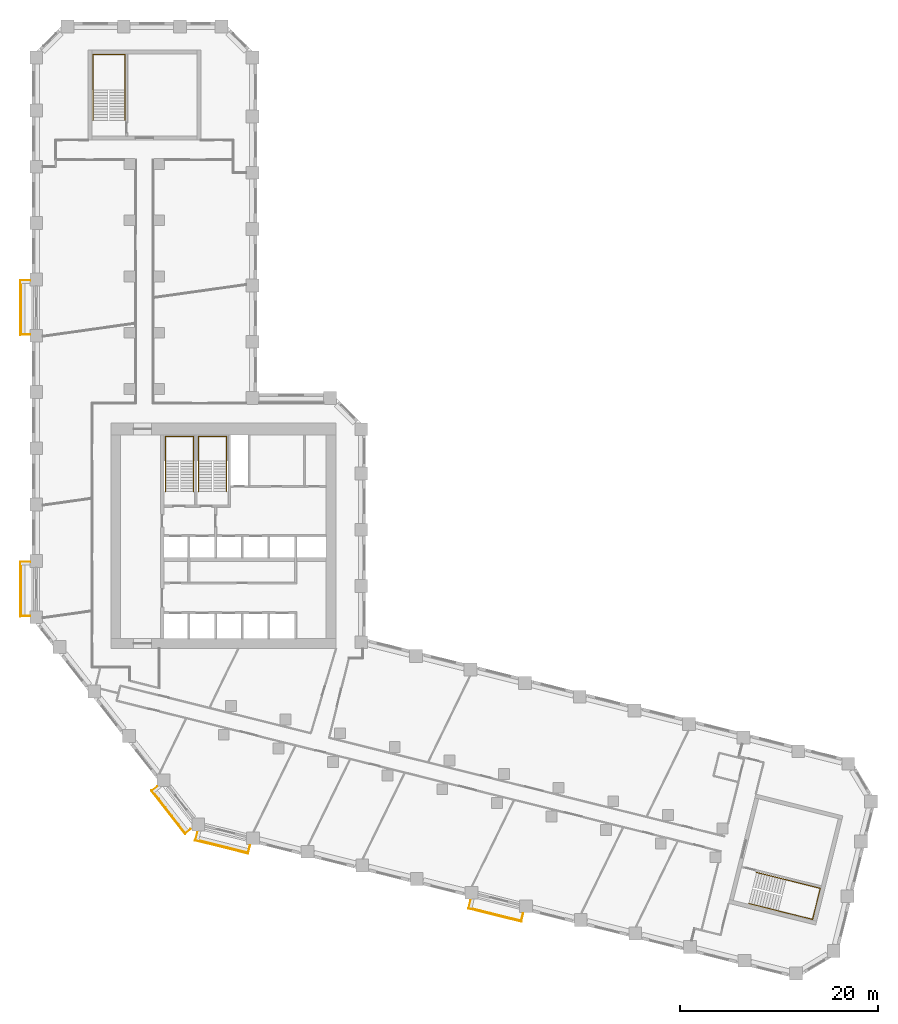
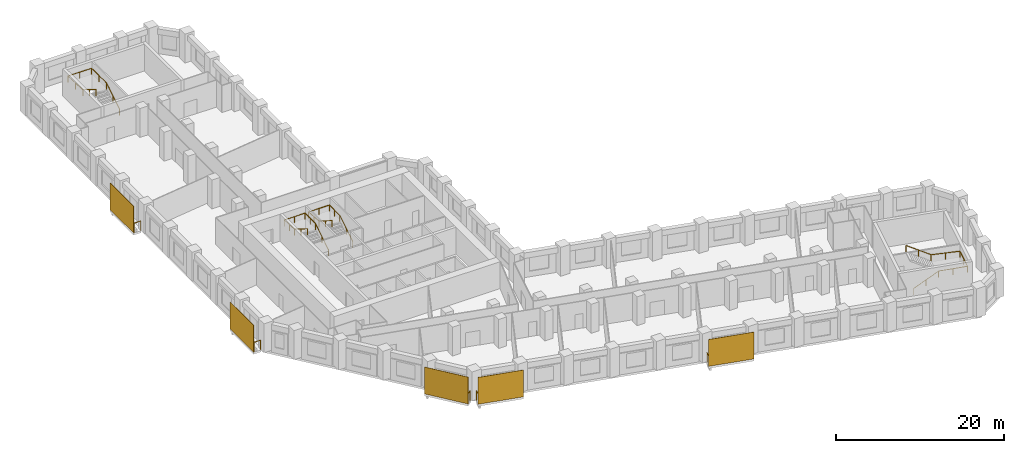
# One storey, part 11 of 11: 9 railings, 5 shading devices.
"""IFC4 building model written with IfcOpenShell, lengths in metres."""

from ifc_helpers import new_model, si_unit, direction, frame, origin, origin_2d, place, context, subcontext, project, spatial, rectangle, circle, extrude, material, layer, layer_set, type_object, element, save


model = new_model("IFC4")

# Units and contexts
model_context = context("Model", 3, precision=1e-05, world=origin(), true_north=direction((0.0, 1.0)))
body_context = subcontext(model_context, "Body", "Model", "MODEL_VIEW")
ifc_project = project(units=[si_unit("LENGTHUNIT", "METRE"), si_unit("AREAUNIT", "SQUARE_METRE"), si_unit("VOLUMEUNIT", "CUBIC_METRE"), si_unit("PLANEANGLEUNIT", "RADIAN"), si_unit("MASSUNIT", "GRAM", prefix="KILO")], contexts=[model_context])

# Site, building, storey
site_placement = place(None, origin())
site = spatial("IfcSite", under=ifc_project, at=site_placement, CompositionType="ELEMENT")
building_placement = place(site_placement, origin())
building = spatial("IfcBuilding", under=site, at=building_placement, Name="Meshkara Civic Tower", CompositionType="ELEMENT")
storey_placement = place(building_placement, frame((0.0, 0.0, 105.60009765625)))
storey = spatial("IfcBuildingStorey", under=building, at=storey_placement, Name="L23", CompositionType="ELEMENT", Elevation=105.60009765625)

# Railings
ifc_material_1 = material(Name="Steel S355", Category="steel")
railing_type_1 = type_object("IfcRailingType", Name="BALUSTRADE GUARD 1400", PredefinedType="BALUSTRADE", material=ifc_material_1)
for number, where, name in (
    (1, (-0.199951171875, 51.3349609375, 0.0), "Balcony guard"),
    (2, (-0.199951171875, 22.8349609375, 0.0), "Balcony guard"),
):
    element("IfcRailing", number, at=place(storey_placement, frame(where)), inside=storey, type_object=railing_type_1, Name=name, PredefinedType="BALUSTRADE", context=body_context, shape_type="SweptSolid", body=[
        extrude(circle(Radius=0.02392578125, at=origin_2d()), frame((0.0, 0.0, 1.3759765625), z_axis=(-1.0, 0.0, 0.0), x_axis=(0.0, -1.0, 0.0)), (0.0, 0.0, 1.0), 0.91015625),
        extrude(circle(Radius=0.02392578125, at=origin_2d()), frame((-0.91015625, 0.0, 1.3759765625), z_axis=(0.0, -1.0, 0.0), x_axis=(1.0, 0.0, 0.0)), (0.0, 0.0, 1.0), 5.4599609375),
        extrude(circle(Radius=0.02392578125, at=origin_2d()), frame((-0.91015625, -5.4599609375, 1.3759765625), z_axis=(1.0, 0.0, 0.0), x_axis=(0.0, 1.0, 0.0)), (0.0, 0.0, 1.0), 0.91015625),
        extrude(circle(Radius=0.02099609375, at=origin_2d()), origin(), (0.0, 0.0, 1.0), 1.351806640625),
        extrude(circle(Radius=0.02099609375, at=origin_2d()), frame((-0.91015625, 0.0, 0.0)), (0.0, 0.0, 1.0), 1.351806640625),
        extrude(circle(Radius=0.02099609375, at=origin_2d()), frame((-0.91015625, -1.092041015625, 0.0)), (0.0, 0.0, 1.0), 1.351806640625),
        extrude(circle(Radius=0.02099609375, at=origin_2d()), frame((-0.91015625, -2.18408203125, 0.0)), (0.0, 0.0, 1.0), 1.351806640625),
        extrude(circle(Radius=0.02099609375, at=origin_2d()), frame((-0.91015625, -3.27587890625, 0.0)), (0.0, 0.0, 1.0), 1.351806640625),
        extrude(circle(Radius=0.02099609375, at=origin_2d()), frame((-0.91015625, -4.367919921875, 0.0)), (0.0, 0.0, 1.0), 1.351806640625),
        extrude(circle(Radius=0.02099609375, at=origin_2d()), frame((-0.91015625, -5.4599609375, 0.0)), (0.0, 0.0, 1.0), 1.351806640625),
        extrude(circle(Radius=0.02099609375, at=origin_2d()), frame((0.0, -5.4599609375, 0.0)), (0.0, 0.0, 1.0), 1.351806640625),
    ])
railing_1_placement = place(storey_placement, frame((12.697021484375, 0.097900390625, 0.0)))
element("IfcRailing", 3, at=railing_1_placement, inside=storey, type_object=railing_type_1, Name="Balcony guard", PredefinedType="BALUSTRADE", context=body_context, shape_type="SweptSolid", body=[
    extrude(circle(Radius=0.02392578125, at=origin_2d()), frame((0.0, 0.0, 1.3759765625), z_axis=(-0.788235582762, -0.615373598774, 0.0), x_axis=(0.615373598774, -0.788235582762, 0.0)), (0.0, 0.0, 1.0), 0.648193359375),
    extrude(circle(Radius=0.02392578125, at=origin_2d()), frame((-0.510986328125, -0.39892578125, 1.3759765625), z_axis=(0.615684818606, -0.787992515281, 0.0), x_axis=(0.787992515281, 0.615684818606, 0.0)), (0.0, 0.0, 1.0), 5.460693359375),
    extrude(circle(Radius=0.02392578125, at=origin_2d()), frame((2.85107421875, -4.701904296875, 1.3759765625), z_axis=(0.787664106231, 0.616104906453, 0.0), x_axis=(-0.616104906453, 0.787664106231, 0.0)), (0.0, 0.0, 1.0), 0.6474609375),
    extrude(circle(Radius=0.02099609375, at=origin_2d()), origin(), (0.0, 0.0, 1.0), 1.351806640625),
    extrude(circle(Radius=0.02099609375, at=origin_2d()), frame((-0.510986328125, -0.39892578125, 0.0)), (0.0, 0.0, 1.0), 1.351806640625),
    extrude(circle(Radius=0.02099609375, at=origin_2d()), frame((0.161376953125, -1.259521484375, 0.0)), (0.0, 0.0, 1.0), 1.351806640625),
    extrude(circle(Radius=0.02099609375, at=origin_2d()), frame((0.833740234375, -2.1201171875, 0.0)), (0.0, 0.0, 1.0), 1.351806640625),
    extrude(circle(Radius=0.02099609375, at=origin_2d()), frame((1.50634765625, -2.980712890625, 0.0)), (0.0, 0.0, 1.0), 1.351806640625),
    extrude(circle(Radius=0.02099609375, at=origin_2d()), frame((2.1787109375, -3.84130859375, 0.0)), (0.0, 0.0, 1.0), 1.351806640625),
    extrude(circle(Radius=0.02099609375, at=origin_2d()), frame((2.85107421875, -4.701904296875, 0.0)), (0.0, 0.0, 1.0), 1.351806640625),
    extrude(circle(Radius=0.02099609375, at=origin_2d()), frame((3.361083984375, -4.302978515625, 0.0)), (0.0, 0.0, 1.0), 1.351806640625),
])
railing_2_placement = place(storey_placement, frame((16.777099609375, -4.531005859375, 0.0)))
element("IfcRailing", 4, at=railing_2_placement, inside=storey, type_object=railing_type_1, Name="Balcony guard", PredefinedType="BALUSTRADE", context=body_context, shape_type="SweptSolid", body=[
    extrude(circle(Radius=0.02392578125, at=origin_2d()), frame((0.0, 0.0, 1.3759765625), z_axis=(-0.241941038466, -0.970290953223, 0.0), x_axis=(0.970290953223, -0.241941038466, 0.0)), (0.0, 0.0, 1.0), 0.77294921875),
    extrude(circle(Radius=0.02392578125, at=origin_2d()), frame((-0.18701171875, -0.75, 1.3759765625), z_axis=(0.9703315887, -0.241778013829, 0.0), x_axis=(0.241778013829, 0.9703315887, 0.0)), (0.0, 0.0, 1.0), 5.459716796875),
    extrude(circle(Radius=0.02392578125, at=origin_2d()), frame((5.11083984375, -2.070068359375, 1.3759765625), z_axis=(0.242237978263, 0.970216863329, 0.0), x_axis=(-0.970216863329, 0.242237978263, 0.0)), (0.0, 0.0, 1.0), 0.77197265625),
    extrude(circle(Radius=0.02099609375, at=origin_2d()), origin(), (0.0, 0.0, 1.0), 1.351806640625),
    extrude(circle(Radius=0.02099609375, at=origin_2d()), frame((-0.18701171875, -0.75, 0.0)), (0.0, 0.0, 1.0), 1.351806640625),
    extrude(circle(Radius=0.02099609375, at=origin_2d()), frame((0.87255859375, -1.013916015625, 0.0)), (0.0, 0.0, 1.0), 1.351806640625),
    extrude(circle(Radius=0.02099609375, at=origin_2d()), frame((1.93212890625, -1.278076171875, 0.0)), (0.0, 0.0, 1.0), 1.351806640625),
    extrude(circle(Radius=0.02099609375, at=origin_2d()), frame((2.99169921875, -1.5419921875, 0.0)), (0.0, 0.0, 1.0), 1.351806640625),
    extrude(circle(Radius=0.02099609375, at=origin_2d()), frame((4.05126953125, -1.80615234375, 0.0)), (0.0, 0.0, 1.0), 1.351806640625),
    extrude(circle(Radius=0.02099609375, at=origin_2d()), frame((5.11083984375, -2.070068359375, 0.0)), (0.0, 0.0, 1.0), 1.351806640625),
    extrude(circle(Radius=0.02099609375, at=origin_2d()), frame((5.2978515625, -1.321044921875, 0.0)), (0.0, 0.0, 1.0), 1.351806640625),
])
railing_3_placement = place(storey_placement, frame((44.430908203125, -11.426025390625, 0.0)))
element("IfcRailing", 5, at=railing_3_placement, inside=storey, type_object=railing_type_1, Name="Balcony guard", PredefinedType="BALUSTRADE", context=body_context, shape_type="SweptSolid", body=[
    extrude(circle(Radius=0.02392578125, at=origin_2d()), frame((0.0, 0.0, 1.3759765625), z_axis=(-0.242237978263, -0.970216863329, 0.0), x_axis=(0.970216863329, -0.242237978263, 0.0)), (0.0, 0.0, 1.0), 0.77197265625),
    extrude(circle(Radius=0.02392578125, at=origin_2d()), frame((-0.18701171875, -0.7490234375, 1.3759765625), z_axis=(0.970281759871, -0.241977904902, 0.0), x_axis=(0.241977904902, 0.970281759871, 0.0)), (0.0, 0.0, 1.0), 5.45947265625),
    extrude(circle(Radius=0.02392578125, at=origin_2d()), frame((5.110107421875, -2.070068359375, 1.3759765625), z_axis=(0.242237978263, 0.970216863329, 0.0), x_axis=(-0.970216863329, 0.242237978263, 0.0)), (0.0, 0.0, 1.0), 0.77197265625),
    extrude(circle(Radius=0.02099609375, at=origin_2d()), origin(), (0.0, 0.0, 1.0), 1.351806640625),
    extrude(circle(Radius=0.02099609375, at=origin_2d()), frame((-0.18701171875, -0.7490234375, 0.0)), (0.0, 0.0, 1.0), 1.351806640625),
    extrude(circle(Radius=0.02099609375, at=origin_2d()), frame((0.872314453125, -1.01318359375, 0.0)), (0.0, 0.0, 1.0), 1.351806640625),
    extrude(circle(Radius=0.02099609375, at=origin_2d()), frame((1.931884765625, -1.27734375, 0.0)), (0.0, 0.0, 1.0), 1.351806640625),
    extrude(circle(Radius=0.02099609375, at=origin_2d()), frame((2.9912109375, -1.541748046875, 0.0)), (0.0, 0.0, 1.0), 1.351806640625),
    extrude(circle(Radius=0.02099609375, at=origin_2d()), frame((4.05078125, -1.805908203125, 0.0)), (0.0, 0.0, 1.0), 1.351806640625),
    extrude(circle(Radius=0.02099609375, at=origin_2d()), frame((5.110107421875, -2.070068359375, 0.0)), (0.0, 0.0, 1.0), 1.351806640625),
    extrude(circle(Radius=0.02099609375, at=origin_2d()), frame((5.297119140625, -1.321044921875, 0.0)), (0.0, 0.0, 1.0), 1.351806640625),
])

# Shading devices
ifc_material_2 = material(Name="Perforated bronze anodised aluminium sheet", Category="aluminium")
ifc_layer = layer(ifc_material_2, 0.0400390625)
ifc_layer_set = layer_set([ifc_layer], Name="PERFORATED BRONZE SCREEN")
shading_device_type = type_object("IfcShadingDeviceType", Name="PERFORATED BRONZE SCREEN", PredefinedType="USERDEFINED", material=ifc_layer_set)
for number, where, z_axis, x_axis, name in (
    (6, (-1.179931640625, 48.60498046875, 0.0), (0.0, 0.0, 1.0), (0.0, -1.0, 0.0), "Balcony screen"),
    (7, (-1.179931640625, 20.10498046875, 0.0), (0.0, 0.0, 1.0), (0.0, -1.0, 0.0), "Balcony screen"),
    (8, (13.81201171875, -2.4951171875, 0.0), (0.0, 0.0, 1.0), (0.615661475326, -0.788010753607, 0.0), "Balcony screen"),
    (9, (19.221923828125, -6.009033203125, 0.0), (0.0, 0.0, 1.0), (0.970299948462, -0.241904960708, 0.0), "Balcony screen"),
):
    element("IfcShadingDevice", number, at=place(storey_placement, frame(where, z_axis=z_axis, x_axis=x_axis)), inside=storey, type_object=shading_device_type, Name=name, ObjectType="SCREEN", PredefinedType="USERDEFINED", context=body_context, shape_type="SweptSolid", body=[
        extrude(rectangle(XDim=5.580078125, YDim=0.0400390625, at=origin_2d()), origin(), (0.0, 0.0, 1.0), 3.89990234375),
    ])
shading_device_placement = place(storey_placement, frame((46.8759765625, -12.903076171875, 0.0), z_axis=(0.0, 0.0, 1.0), x_axis=(0.970299948462, -0.241904960708, 0.0)))
element("IfcShadingDevice", 10, at=shading_device_placement, inside=storey, type_object=shading_device_type, Name="Balcony screen", ObjectType="SCREEN", PredefinedType="USERDEFINED", context=body_context, shape_type="SweptSolid", body=[
    extrude(rectangle(XDim=5.5791015625, YDim=0.0400390625, at=origin_2d()), origin(), (0.0, 0.0, 1.0), 3.89990234375),
])

# Railings
ifc_material_3 = material(Name="Steel handrail", Category="steel")
railing_type_2 = type_object("IfcRailingType", Name="Stair handrail 900", PredefinedType="HANDRAIL", material=ifc_material_3)
railing_4_placement = place(storey_placement, frame((16.375, 30.0, 0.1748046875)))
element("IfcRailing", 11, at=railing_4_placement, inside=storey, type_object=railing_type_2, Name="L23 ST1 stair handrail 1", PredefinedType="HANDRAIL", context=body_context, shape_type="SweptSolid", body=[
    extrude(circle(Radius=0.02392578125, at=origin_2d()), frame((0.0, 0.0, 0.8759765625), z_axis=(0.0, 0.847998304005, 0.529998940003), x_axis=(-1.0, 0.0, 0.0)), (0.0, 0.0, 1.0), 3.632080078125),
    extrude(circle(Radius=0.02392578125, at=origin_2d()), frame((0.0, 3.080078125, 2.80078125), z_axis=(0.0, 1.0, 0.0), x_axis=(-1.0, 0.0, 0.0)), (0.0, 0.0, 1.0), 2.469970703125),
    extrude(circle(Radius=0.02392578125, at=origin_2d()), frame((0.0, 5.550048828125, 2.80078125), z_axis=(-1.0, 0.0, 0.0), x_axis=(0.0, -1.0, 0.0)), (0.0, 0.0, 1.0), 2.85009765625),
    extrude(circle(Radius=0.02392578125, at=origin_2d()), frame((-2.85009765625, 5.550048828125, 2.80078125), z_axis=(0.0, -0.997498084828, 0.070693498747), x_axis=(1.0, 0.0, 0.0)), (0.0, 0.0, 1.0), 2.47607421875),
    extrude(circle(Radius=0.02392578125, at=origin_2d()), frame((-2.85009765625, 3.080078125, 2.97607421875), z_axis=(0.0, -0.847998304005, 0.529998940003), x_axis=(1.0, 0.0, 0.0)), (0.0, 0.0, 1.0), 3.632080078125),
    extrude(circle(Radius=0.02099609375, at=origin_2d()), origin(), (0.0, 0.0, 1.0), 0.851806640625),
    extrude(circle(Radius=0.02099609375, at=origin_2d()), frame((0.0, 1.5400390625, 0.96240234375)), (0.0, 0.0, 1.0), 0.851806640625),
    extrude(circle(Radius=0.02099609375, at=origin_2d()), frame((0.0, 3.080078125, 1.925048828125)), (0.0, 0.0, 1.0), 0.851806640625),
    extrude(circle(Radius=0.02099609375, at=origin_2d()), frame((0.0, 4.31494140625, 1.925048828125)), (0.0, 0.0, 1.0), 0.851806640625),
    extrude(circle(Radius=0.02099609375, at=origin_2d()), frame((0.0, 5.550048828125, 1.925048828125)), (0.0, 0.0, 1.0), 0.851806640625),
    extrude(circle(Radius=0.02099609375, at=origin_2d()), frame((-1.425048828125, 5.550048828125, 1.925048828125)), (0.0, 0.0, 1.0), 0.851806640625),
    extrude(circle(Radius=0.02099609375, at=origin_2d()), frame((-2.85009765625, 5.550048828125, 1.925048828125)), (0.0, 0.0, 1.0), 0.851806640625),
    extrude(circle(Radius=0.02099609375, at=origin_2d()), frame((-2.85009765625, 4.31494140625, 2.0126953125)), (0.0, 0.0, 1.0), 0.851806640625),
    extrude(circle(Radius=0.02099609375, at=origin_2d()), frame((-2.85009765625, 3.080078125, 2.10009765625)), (0.0, 0.0, 1.0), 0.851806640625),
    extrude(circle(Radius=0.02099609375, at=origin_2d()), frame((-2.85009765625, 1.5400390625, 3.0625)), (0.0, 0.0, 1.0), 0.851806640625),
    extrude(circle(Radius=0.02099609375, at=origin_2d()), frame((-2.85009765625, 0.0, 4.025146484375)), (0.0, 0.0, 1.0), 0.851806640625),
])
railing_5_placement = place(storey_placement, frame((19.72509765625, 30.0, 0.1748046875)))
element("IfcRailing", 12, at=railing_5_placement, inside=storey, type_object=railing_type_2, Name="L23 ST2 stair handrail 1", PredefinedType="HANDRAIL", context=body_context, shape_type="SweptSolid", body=[
    extrude(circle(Radius=0.02392578125, at=origin_2d()), frame((0.0, 0.0, 0.8759765625), z_axis=(0.0, 0.847998304005, 0.529998940003), x_axis=(-1.0, 0.0, 0.0)), (0.0, 0.0, 1.0), 3.632080078125),
    extrude(circle(Radius=0.02392578125, at=origin_2d()), frame((0.0, 3.080078125, 2.80078125), z_axis=(0.0, 1.0, 0.0), x_axis=(-1.0, 0.0, 0.0)), (0.0, 0.0, 1.0), 2.469970703125),
    extrude(circle(Radius=0.02392578125, at=origin_2d()), frame((0.0, 5.550048828125, 2.80078125), z_axis=(-1.0, 0.0, 0.0), x_axis=(0.0, -1.0, 0.0)), (0.0, 0.0, 1.0), 2.85009765625),
    extrude(circle(Radius=0.02392578125, at=origin_2d()), frame((-2.85009765625, 5.550048828125, 2.80078125), z_axis=(0.0, -0.997498084828, 0.070693498747), x_axis=(1.0, 0.0, 0.0)), (0.0, 0.0, 1.0), 2.47607421875),
    extrude(circle(Radius=0.02392578125, at=origin_2d()), frame((-2.85009765625, 3.080078125, 2.97607421875), z_axis=(0.0, -0.847998304005, 0.529998940003), x_axis=(1.0, 0.0, 0.0)), (0.0, 0.0, 1.0), 3.632080078125),
    extrude(circle(Radius=0.02099609375, at=origin_2d()), origin(), (0.0, 0.0, 1.0), 0.851806640625),
    extrude(circle(Radius=0.02099609375, at=origin_2d()), frame((0.0, 1.5400390625, 0.96240234375)), (0.0, 0.0, 1.0), 0.851806640625),
    extrude(circle(Radius=0.02099609375, at=origin_2d()), frame((0.0, 3.080078125, 1.925048828125)), (0.0, 0.0, 1.0), 0.851806640625),
    extrude(circle(Radius=0.02099609375, at=origin_2d()), frame((0.0, 4.31494140625, 1.925048828125)), (0.0, 0.0, 1.0), 0.851806640625),
    extrude(circle(Radius=0.02099609375, at=origin_2d()), frame((0.0, 5.550048828125, 1.925048828125)), (0.0, 0.0, 1.0), 0.851806640625),
    extrude(circle(Radius=0.02099609375, at=origin_2d()), frame((-1.425048828125, 5.550048828125, 1.925048828125)), (0.0, 0.0, 1.0), 0.851806640625),
    extrude(circle(Radius=0.02099609375, at=origin_2d()), frame((-2.85009765625, 5.550048828125, 1.925048828125)), (0.0, 0.0, 1.0), 0.851806640625),
    extrude(circle(Radius=0.02099609375, at=origin_2d()), frame((-2.85009765625, 4.31494140625, 2.0126953125)), (0.0, 0.0, 1.0), 0.851806640625),
    extrude(circle(Radius=0.02099609375, at=origin_2d()), frame((-2.85009765625, 3.080078125, 2.10009765625)), (0.0, 0.0, 1.0), 0.851806640625),
    extrude(circle(Radius=0.02099609375, at=origin_2d()), frame((-2.85009765625, 1.5400390625, 3.0625)), (0.0, 0.0, 1.0), 0.851806640625),
    extrude(circle(Radius=0.02099609375, at=origin_2d()), frame((-2.85009765625, 0.0, 4.025146484375)), (0.0, 0.0, 1.0), 0.851806640625),
])
railing_6_placement = place(storey_placement, frame((9.425048828125, 67.570068359375, 0.1748046875)))
element("IfcRailing", 13, at=railing_6_placement, inside=storey, type_object=railing_type_2, Name="L23 ESA2 stair handrail 1", PredefinedType="HANDRAIL", context=body_context, shape_type="SweptSolid", body=[
    extrude(circle(Radius=0.02392578125, at=origin_2d()), frame((0.0, 0.0, 0.8759765625), z_axis=(0.0, 0.847979421464, 0.530029150871), x_axis=(-1.0, 0.0, 0.0)), (0.0, 0.0, 1.0), 3.632080078125),
    extrude(circle(Radius=0.02392578125, at=origin_2d()), frame((0.0, 3.079833984375, 2.80078125), z_axis=(0.0, 1.0, 0.0), x_axis=(-1.0, 0.0, 0.0)), (0.0, 0.0, 1.0), 3.570068359375),
    extrude(circle(Radius=0.02392578125, at=origin_2d()), frame((0.0, 6.64990234375, 2.80078125), z_axis=(-1.0, 0.0, 0.0), x_axis=(0.0, -1.0, 0.0)), (0.0, 0.0, 1.0), 3.25),
    extrude(circle(Radius=0.02392578125, at=origin_2d()), frame((-3.25, 6.64990234375, 2.80078125), z_axis=(0.0, -0.998800077689, 0.048973511297), x_axis=(1.0, 0.0, 0.0)), (0.0, 0.0, 1.0), 3.574462890625),
    extrude(circle(Radius=0.02392578125, at=origin_2d()), frame((-3.25, 3.079833984375, 2.97607421875), z_axis=(0.0, -0.847979421464, 0.530029150871), x_axis=(1.0, 0.0, 0.0)), (0.0, 0.0, 1.0), 3.632080078125),
    extrude(circle(Radius=0.02099609375, at=origin_2d()), origin(), (0.0, 0.0, 1.0), 0.851806640625),
    extrude(circle(Radius=0.02099609375, at=origin_2d()), frame((0.0, 1.5400390625, 0.96240234375)), (0.0, 0.0, 1.0), 0.851806640625),
    extrude(circle(Radius=0.02099609375, at=origin_2d()), frame((0.0, 3.079833984375, 1.925048828125)), (0.0, 0.0, 1.0), 0.851806640625),
    extrude(circle(Radius=0.02099609375, at=origin_2d()), frame((0.0, 4.86474609375, 1.925048828125)), (0.0, 0.0, 1.0), 0.851806640625),
    extrude(circle(Radius=0.02099609375, at=origin_2d()), frame((0.0, 6.64990234375, 1.925048828125)), (0.0, 0.0, 1.0), 0.851806640625),
    extrude(circle(Radius=0.02099609375, at=origin_2d()), frame((-1.625, 6.64990234375, 1.925048828125)), (0.0, 0.0, 1.0), 0.851806640625),
    extrude(circle(Radius=0.02099609375, at=origin_2d()), frame((-3.25, 6.64990234375, 1.925048828125)), (0.0, 0.0, 1.0), 0.851806640625),
    extrude(circle(Radius=0.02099609375, at=origin_2d()), frame((-3.25, 4.86474609375, 2.0126953125)), (0.0, 0.0, 1.0), 0.851806640625),
    extrude(circle(Radius=0.02099609375, at=origin_2d()), frame((-3.25, 3.079833984375, 2.10009765625)), (0.0, 0.0, 1.0), 0.851806640625),
    extrude(circle(Radius=0.02099609375, at=origin_2d()), frame((-3.25, 1.5400390625, 3.0625)), (0.0, 0.0, 1.0), 0.851806640625),
    extrude(circle(Radius=0.02099609375, at=origin_2d()), frame((-3.25, 0.0, 4.025146484375)), (0.0, 0.0, 1.0), 0.851806640625),
])
railing_7_placement = place(storey_placement, frame((72.587158203125, -11.73388671875, 0.1748046875)))
element("IfcRailing", 14, at=railing_7_placement, inside=storey, type_object=railing_type_2, Name="L23 ESB2 stair handrail 1", PredefinedType="HANDRAIL", context=body_context, shape_type="SweptSolid", body=[
    extrude(circle(Radius=0.02392578125, at=origin_2d()), frame((0.0, 0.0, 0.8759765625), z_axis=(0.82276025377, -0.205286749593, 0.530021617727), x_axis=(0.242087961707, 0.97025430625, 0.0)), (0.0, 0.0, 1.0), 3.632080078125),
    extrude(circle(Radius=0.02392578125, at=origin_2d()), frame((2.98828125, -0.74560546875, 2.80078125), z_axis=(0.97025503065, -0.242085058395, 0.0), x_axis=(0.242085058395, 0.97025503065, 0.0)), (0.0, 0.0, 1.0), 3.570068359375),
    extrude(circle(Radius=0.02392578125, at=origin_2d()), frame((6.4521484375, -1.60986328125, 2.80078125), z_axis=(0.242040676986, 0.970266103027, 0.0), x_axis=(-0.970266103027, 0.242040676986, 0.0)), (0.0, 0.0, 1.0), 3.25),
    extrude(circle(Radius=0.02392578125, at=origin_2d()), frame((7.23876953125, 1.54345703125, 2.80078125), z_axis=(-0.969090793551, 0.241794573525, 0.048973646672), x_axis=(-0.242085058395, -0.97025503065, 0.0)), (0.0, 0.0, 1.0), 3.574462890625),
    extrude(circle(Radius=0.02392578125, at=origin_2d()), frame((3.77490234375, 2.40771484375, 2.97607421875), z_axis=(-0.82276025377, 0.205286749593, 0.530021617727), x_axis=(-0.242087961707, -0.97025430625, 0.0)), (0.0, 0.0, 1.0), 3.632080078125),
    extrude(circle(Radius=0.02099609375, at=origin_2d()), origin(), (0.0, 0.0, 1.0), 0.851806640625),
    extrude(circle(Radius=0.02099609375, at=origin_2d()), frame((1.494140625, -0.372802734375, 0.96240234375)), (0.0, 0.0, 1.0), 0.851806640625),
    extrude(circle(Radius=0.02099609375, at=origin_2d()), frame((2.98828125, -0.74560546875, 1.925048828125)), (0.0, 0.0, 1.0), 0.851806640625),
    extrude(circle(Radius=0.02099609375, at=origin_2d()), frame((4.72021484375, -1.177734375, 1.925048828125)), (0.0, 0.0, 1.0), 0.851806640625),
    extrude(circle(Radius=0.02099609375, at=origin_2d()), frame((6.4521484375, -1.60986328125, 1.925048828125)), (0.0, 0.0, 1.0), 0.851806640625),
    extrude(circle(Radius=0.02099609375, at=origin_2d()), frame((6.845458984375, -0.033203125, 1.925048828125)), (0.0, 0.0, 1.0), 0.851806640625),
    extrude(circle(Radius=0.02099609375, at=origin_2d()), frame((7.23876953125, 1.54345703125, 1.925048828125)), (0.0, 0.0, 1.0), 0.851806640625),
    extrude(circle(Radius=0.02099609375, at=origin_2d()), frame((5.5068359375, 1.9755859375, 2.0126953125)), (0.0, 0.0, 1.0), 0.851806640625),
    extrude(circle(Radius=0.02099609375, at=origin_2d()), frame((3.77490234375, 2.40771484375, 2.10009765625)), (0.0, 0.0, 1.0), 0.851806640625),
    extrude(circle(Radius=0.02099609375, at=origin_2d()), frame((2.28076171875, 2.780517578125, 3.0625)), (0.0, 0.0, 1.0), 0.851806640625),
    extrude(circle(Radius=0.02099609375, at=origin_2d()), frame((0.78662109375, 3.1533203125, 4.025146484375)), (0.0, 0.0, 1.0), 0.851806640625),
])

save(model, "model.ifc")
